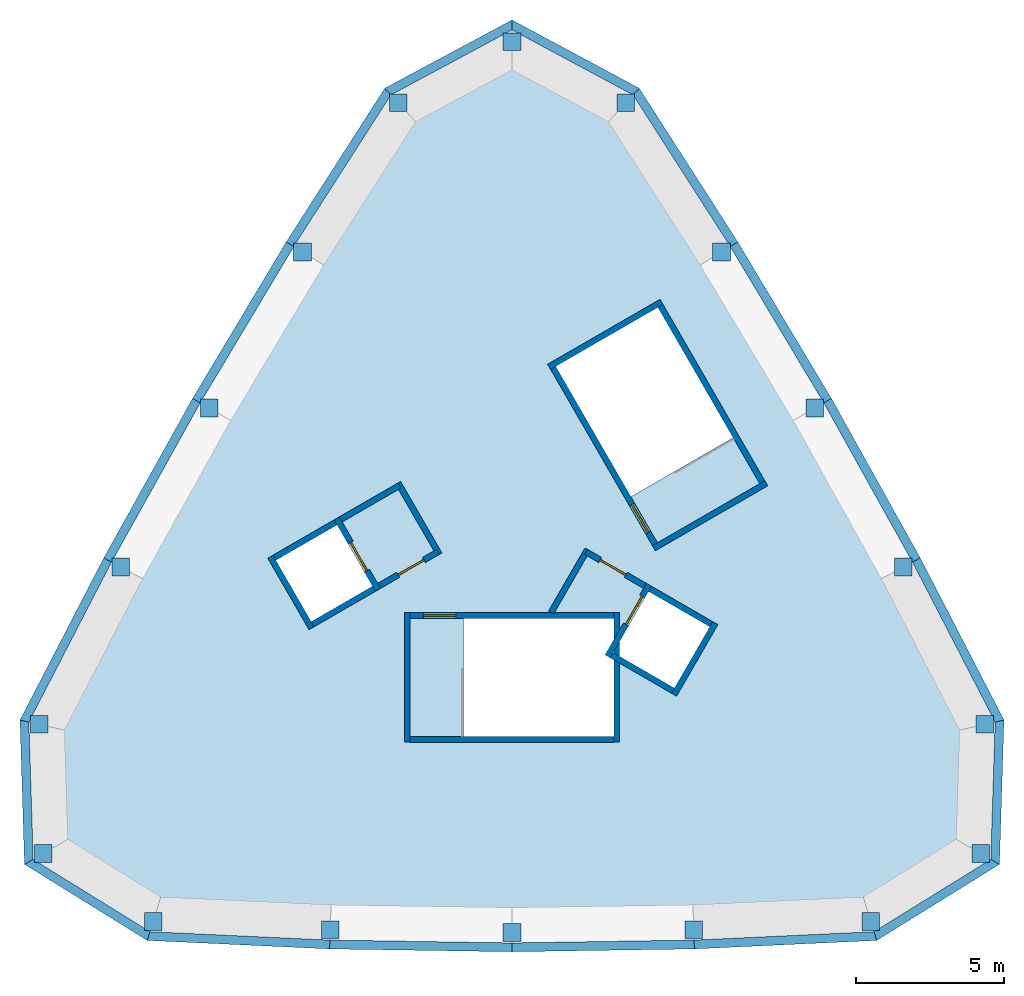
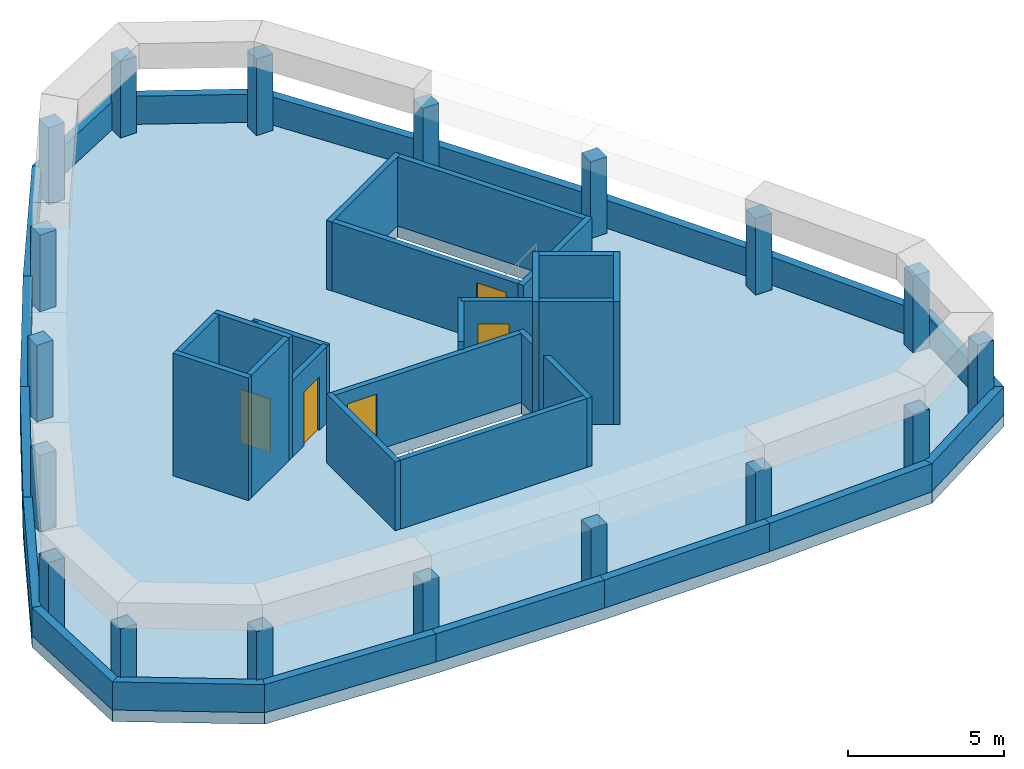
# One storey, part 1 of 2: 39 walls, 18 members, 6 doors, 1 slab, 6 openings.
"""IFC4 building model written with IfcOpenShell, lengths in metres."""

from ifc_helpers import new_model, si_unit, direction, frame, frame_2d, origin, origin_2d, place, context, subcontext, project, spatial, polyline, rectangle, outline, extrude, material, layer, layer_set, material_profile, profile_set, type_object, element, fill, save


model = new_model("IFC4")

# Units and contexts
model_context = context("Model", 3, precision=1e-05, world=origin(), true_north=direction((0.0, 1.0)))
body_context = subcontext(model_context, "Body", "Model", "MODEL_VIEW")
ifc_project = project(units=[si_unit("LENGTHUNIT", "METRE"), si_unit("AREAUNIT", "SQUARE_METRE"), si_unit("VOLUMEUNIT", "CUBIC_METRE"), si_unit("PLANEANGLEUNIT", "RADIAN"), si_unit("MASSUNIT", "GRAM", prefix="KILO")], contexts=[model_context])

# Site, building, storey
site_placement = place(None, origin())
site = spatial("IfcSite", under=ifc_project, at=site_placement, CompositionType="ELEMENT")
building_placement = place(site_placement, origin())
building = spatial("IfcBuilding", under=site, at=building_placement, Name="Entoto Arch Interchange Tower", CompositionType="ELEMENT")
storey_placement = place(building_placement, frame((0.0, 0.0, 362.89990234375)))
storey = spatial("IfcBuildingStorey", under=building, at=storey_placement, Name="Roof", CompositionType="ELEMENT", Elevation=362.89990234375)

# Members
ifc_material_1 = material(Name="Board-marked precast concrete C50/60", Category="concrete")
ifc_material_profile = material_profile(ifc_material_1, rectangle(XDim=0.60009765625, YDim=0.60009765625, at=origin_2d()))
ifc_profile_set = profile_set([ifc_material_profile], Name="Board-marked precast concrete C50/60")
member_type = type_object("IfcMemberType", Name="FRAME POST PRECAST 600", PredefinedType="POST", material=ifc_profile_set)
for number, where, z_axis, x_axis, name in (
    (1, (-12.160888671875, -11.47509765625, 0.0), (0.0, 0.0, 1.0), (1.0, 0.0, 0.0), "Frame post 1"),
    (2, (-15.881103515625, -9.1689453125, 0.0), (0.0, 0.0, 1.0), (1.0, 0.0, 0.0), "Frame post 2"),
    (3, (-16.01806640625, -4.794921875, 0.0), (0.0, 0.0, 1.0), (1.0, 0.0, 0.0), "Frame post 3"),
    (4, (-13.260986328125, 0.5400390625, 0.0), (0.0, 0.0, 1.0), (1.0, 0.0, 0.0), "Frame post 4"),
    (5, (-10.261962890625, 5.925048828125, 0.0), (0.0, 0.0, 1.0), (1.0, 0.0, 0.0), "Frame post 5"),
    (6, (-7.096923828125, 11.215087890625, 0.0), (0.0, 0.0, 1.0), (1.0, 0.0, 0.0), "Frame post 6"),
    (7, (-3.85595703125, 16.26904296875, 0.0), (0.0, 0.0, 1.0), (1.0, 0.0, 0.0), "Frame post 7"),
    (8, (0.0, 18.337890625, 0.0), (0.0, 0.0, 1.0), (1.0, 0.0, 0.0), "Frame post 8"),
    (9, (3.85595703125, 16.26904296875, 0.0), (0.0, 0.0, 1.0), (1.0, 0.0, 0.0), "Frame post 9"),
    (10, (7.096923828125, 11.215087890625, 0.0), (0.0, 0.0, 1.0), (1.0, 0.0, 0.0), "Frame post 10"),
    (11, (10.261962890625, 5.925048828125, 0.0), (0.0, 0.0, 1.0), (1.0, 0.0, 0.0), "Frame post 11"),
    (12, (13.260986328125, 0.5400390625, 0.0), (0.0, 0.0, 1.0), (1.0, 0.0, 0.0), "Frame post 12"),
    (13, (16.01806640625, -4.794921875, 0.0), (0.0, 0.0, 1.0), (1.0, 0.0, 0.0), "Frame post 13"),
    (14, (15.881103515625, -9.1689453125, 0.0), (0.0, 0.0, 1.0), (1.0, 0.0, 0.0), "Frame post 14"),
    (15, (12.160888671875, -11.47509765625, 0.0), (0.0, 0.0, 1.0), (1.0, 0.0, 0.0), "Frame post 15"),
    (16, (6.159912109375, -11.75390625, 0.0), (0.0, 0.0, 1.0), (1.0, 0.0, 0.0), "Frame post 16"),
    (17, (0.0, -11.85009765625, 0.0), (0.0, 0.0, 1.0), (1.0, 0.0, 0.0), "Frame post 17"),
    (18, (-6.159912109375, -11.75390625, 0.0), (0.0, 0.0, 1.0), (1.0, 0.0, 0.0), "Frame post 18"),
):
    element("IfcMember", number, at=place(storey_placement, frame(where, z_axis=z_axis, x_axis=x_axis)), inside=storey, type_object=member_type, Name=name, PredefinedType="POST", context=body_context, shape_type="SweptSolid", body=[
        extrude(rectangle(XDim=0.60009765625, YDim=0.60009765625, at=origin_2d()), origin(), (0.0, 0.0, 1.0), 3.0),
    ])

# Slab
ifc_material_2 = material(Name="Concrete C40/50", Category="concrete")
ifc_layer_1 = layer(ifc_material_2, 0.449951171875)
ifc_layer_set_1 = layer_set([ifc_layer_1], Name="Concrete C40/50")
slab_type = type_object("IfcSlabType", Name="Roof slab 450 C40/50", PredefinedType="ROOF", material=ifc_layer_set_1)
slab_placement = place(storey_placement, frame((0.0, 0.0, -0.449951171875)))
element("IfcSlab", 19, at=slab_placement, inside=storey, type_object=slab_type, Name="Roof slab", PredefinedType="ROOF", context=body_context, shape_type="SweptSolid", body=[
    extrude(outline(polyline([(-12.360107421875, -12.115966796875), (-6.179931640625, -12.404052734375), (0.0, -12.5), (6.179931640625, -12.404052734375), (12.360107421875, -12.115966796875), (16.52001953125, -9.5380859375), (16.673095703125, -4.64697265625), (13.833984375, 0.846923828125), (10.824951171875, 6.25), (7.64990234375, 11.556884765625), (4.31201171875, 16.761962890625), (0.0, 19.075927734375), (-4.31201171875, 16.761962890625), (-7.64990234375, 11.556884765625), (-10.824951171875, 6.25), (-13.833984375, 0.846923828125), (-16.673095703125, -4.64697265625), (-16.52001953125, -9.5380859375), (-12.360107421875, -12.115966796875)]), holes=[polyline([(3.449951171875, -1.199951171875), (3.449951171875, -2.324951171875), (4.626953125, -0.287109375), (6.705078125, -1.487060546875), (5.5048828125, -3.56494140625), (3.449951171875, -2.3779296875), (3.449951171875, -5.199951171875), (-1.64990234375, -5.199951171875), (-1.64990234375, -1.199951171875), (3.449951171875, -1.199951171875)]), polyline([(-6.804931640625, -1.31298828125), (-8.0048828125, 0.764892578125), (-5.927001953125, 1.965087890625), (-4.72705078125, -0.113037109375), (-6.804931640625, -1.31298828125)]), polyline([(1.47900390625, 7.337890625), (4.943115234375, 9.337890625), (7.492919921875, 4.9208984375), (4.029052734375, 2.9208984375), (1.47900390625, 7.337890625)])]), origin(), (0.0, 0.0, 1.0), 0.449951171875),
])

# Wall, opening, door
ifc_layer_2 = layer(ifc_material_2, 0.199951171875)
ifc_layer_set_2 = layer_set([ifc_layer_2], Name="Concrete C40/50")
wall_type_1 = type_object("IfcWallType", Name="LIFT SHAFT WALL 200", PredefinedType="STANDARD", material=ifc_layer_set_2)
wall_1_placement = place(storey_placement, frame((3.239990234375, -2.488037109375, 0.0), z_axis=(0.0, 0.0, 1.0), x_axis=(0.49994636267, 0.866056369097, 0.0)))
wall_1 = element("IfcWall", 20, at=wall_1_placement, inside=storey, type_object=wall_type_1, Name="Shaft wall SE1 front", PredefinedType="STANDARD", context=body_context, shape_type="SweptSolid", body=[
    extrude(rectangle(XDim=2.800048828125, YDim=0.199951171875, at=frame_2d((1.39990234375, 0.0))), origin(), (0.0, 0.0, 1.0), 4.800048828125),
])
opening_1_placement = place(wall_1_placement, frame((1.25, 0.0, 0.0)))
opening_1 = element("IfcOpeningElement", 21, at=opening_1_placement, cuts=wall_1, Name="Opening LD-FF1-Roof", PredefinedType="OPENING", context=body_context, shape_type="SweptSolid", body=[
    extrude(rectangle(XDim=1.10009765625, YDim=2.10009765625, at=frame_2d((0.550048828125, 1.050048828125))), frame((0.0, 0.10986328125, 0.0), z_axis=(0.0, -1.0, 0.0), x_axis=(1.0, 0.0, 0.0)), (0.0, 0.0, 1.0), 0.219970703125),
])
ifc_material_3 = material(Name="Stainless steel 1.4301 panels", Category="steel")
door_type_1 = type_object("IfcDoorType", Name="LIFT LANDING DOOR LD1 1100x2100", OperationType="SLIDING_TO_LEFT", PredefinedType="DOOR", material=ifc_material_3)
door_1_placement = place(opening_1_placement, origin())
door_1 = element("IfcDoor", 22, at=door_1_placement, inside=storey, type_object=door_type_1, Name="Lift landing door FF1 Roof", OperationType="SLIDING_TO_LEFT", OverallHeight=2.10009765625, OverallWidth=1.10009765625, PredefinedType="DOOR", context=body_context, shape_type="SweptSolid", body=[
    extrude(rectangle(XDim=1.10009765625, YDim=2.10009765625, at=frame_2d((0.550048828125, 1.050048828125))), frame((0.0, 0.02490234375, 0.0), z_axis=(0.0, -1.0, 0.0), x_axis=(1.0, 0.0, 0.0)), (0.0, 0.0, 1.0), 0.050048828125),
])
fill(opening_1, door_1)

# Walls
wall_2_placement = place(storey_placement, frame((5.491943359375, -3.7880859375, 0.0), z_axis=(0.0, 0.0, 1.0), x_axis=(0.500011755427, 0.866018616679, 0.0)))
element("IfcWall", 23, at=wall_2_placement, inside=storey, type_object=wall_type_1, Name="Shaft wall SE1 back", PredefinedType="STANDARD", context=body_context, shape_type="SweptSolid", body=[
    extrude(rectangle(XDim=2.80029296875, YDim=0.199951171875, at=frame_2d((1.400146484375, 0.0))), origin(), (0.0, 0.0, 1.0), 4.800048828125),
])
wall_3_placement = place(storey_placement, frame((3.376953125, -2.451904296875, 0.0), z_axis=(0.0, 0.0, 1.0), x_axis=(0.865955154139, -0.50012165622, 0.0)))
element("IfcWall", 24, at=wall_3_placement, inside=storey, type_object=wall_type_1, Name="Shaft wall SE1 cross 1", PredefinedType="STANDARD", context=body_context, shape_type="SweptSolid", body=[
    extrude(rectangle(XDim=2.39990234375, YDim=0.199951171875, at=frame_2d((1.199951171875, 0.0))), origin(), (0.0, 0.0, 1.0), 4.800048828125),
])
wall_4_placement = place(storey_placement, frame((4.677001953125, -0.199951171875, 0.0), z_axis=(0.0, 0.0, 1.0), x_axis=(0.865973769406, -0.500089422704, 0.0)))
element("IfcWall", 25, at=wall_4_placement, inside=storey, type_object=wall_type_1, Name="Shaft wall SE1 cross 2", PredefinedType="STANDARD", context=body_context, shape_type="SweptSolid", body=[
    extrude(rectangle(XDim=2.3994140625, YDim=0.199951171875, at=frame_2d((1.19970703125, 0.0))), origin(), (0.0, 0.0, 1.0), 4.800048828125),
])

# Wall, opening, door
wall_5_placement = place(storey_placement, frame((-5.93994140625, 2.18798828125, 0.0), z_axis=(0.0, 0.0, 1.0), x_axis=(0.49994636267, -0.866056369097, 0.0)))
wall_5 = element("IfcWall", 26, at=wall_5_placement, inside=storey, type_object=wall_type_1, Name="Shaft wall SW1 front", PredefinedType="STANDARD", context=body_context, shape_type="SweptSolid", body=[
    extrude(rectangle(XDim=2.800048828125, YDim=0.199951171875, at=frame_2d((1.39990234375, 0.0))), origin(), (0.0, 0.0, 1.0), 4.800048828125),
])
opening_2_placement = place(wall_5_placement, frame((0.949951171875, 0.0, 0.0)))
opening_2 = element("IfcOpeningElement", 27, at=opening_2_placement, cuts=wall_5, Name="Opening LD-FF2-Roof", PredefinedType="OPENING", context=body_context, shape_type="SweptSolid", body=[
    extrude(rectangle(XDim=1.10009765625, YDim=2.10009765625, at=frame_2d((0.550048828125, 1.050048828125))), frame((0.0, 0.10986328125, 0.0), z_axis=(0.0, -1.0, 0.0), x_axis=(1.0, 0.0, 0.0)), (0.0, 0.0, 1.0), 0.219970703125),
])
door_2_placement = place(opening_2_placement, origin())
door_2 = element("IfcDoor", 28, at=door_2_placement, inside=storey, type_object=door_type_1, Name="Lift landing door FF2 Roof", OperationType="SLIDING_TO_LEFT", OverallHeight=2.10009765625, OverallWidth=1.10009765625, PredefinedType="DOOR", context=body_context, shape_type="SweptSolid", body=[
    extrude(rectangle(XDim=1.10009765625, YDim=2.10009765625, at=frame_2d((0.550048828125, 1.050048828125))), frame((0.0, 0.02490234375, 0.0), z_axis=(0.0, -1.0, 0.0), x_axis=(1.0, 0.0, 0.0)), (0.0, 0.0, 1.0), 0.050048828125),
])
fill(opening_2, door_2)

# Walls
wall_6_placement = place(storey_placement, frame((-8.19189453125, 0.887939453125, 0.0), z_axis=(0.0, 0.0, 1.0), x_axis=(0.49994636267, -0.866056369097, 0.0)))
element("IfcWall", 29, at=wall_6_placement, inside=storey, type_object=wall_type_1, Name="Shaft wall SW1 back", PredefinedType="STANDARD", context=body_context, shape_type="SweptSolid", body=[
    extrude(rectangle(XDim=2.800048828125, YDim=0.199951171875, at=frame_2d((1.39990234375, 0.0))), origin(), (0.0, 0.0, 1.0), 4.800048828125),
])
for number, where, z_axis, x_axis, name in (
    (30, (-5.97705078125, 2.052001953125, 0.0), (0.0, 0.0, 1.0), (-0.865973769406, -0.500089422704, 0.0), "Shaft wall SW1 cross 1"),
    (31, (-4.677001953125, -0.199951171875, 0.0), (0.0, 0.0, 1.0), (-0.865973769406, -0.500089422704, 0.0), "Shaft wall SW1 cross 2"),
):
    element("IfcWall", number, at=place(storey_placement, frame(where, z_axis=z_axis, x_axis=x_axis)), inside=storey, type_object=wall_type_1, Name=name, PredefinedType="STANDARD", context=body_context, shape_type="SweptSolid", body=[
        extrude(rectangle(XDim=2.3994140625, YDim=0.199951171875, at=frame_2d((1.19970703125, 0.0))), origin(), (0.0, 0.0, 1.0), 4.800048828125),
    ])
ifc_layer_3 = layer(ifc_material_1, 0.300048828125)
ifc_layer_set_3 = layer_set([ifc_layer_3], Name="Board-marked precast concrete C50/60")
wall_type_2 = type_object("IfcWallType", Name="PARAPET PRECAST 300", PredefinedType="PARAPET", material=ifc_layer_set_3)
wall_7_placement = place(storey_placement, origin())
element("IfcWall", 32, at=wall_7_placement, inside=storey, type_object=wall_type_2, Name="Roof parapet 1", PredefinedType="PARAPET", context=body_context, shape_type="SweptSolid", body=[
    extrude(outline(polyline([(-12.360107421875, -12.115966796875), (-6.179931640625, -12.404052734375), (-6.1708984375, -12.10400390625), (-12.26806640625, -11.820068359375), (-12.360107421875, -12.115966796875)])), origin(), (0.0, 0.0, 1.0), 1.10009765625),
])
wall_8_placement = place(storey_placement, origin())
element("IfcWall", 33, at=wall_8_placement, inside=storey, type_object=wall_type_2, Name="Roof parapet 2", PredefinedType="PARAPET", context=body_context, shape_type="SweptSolid", body=[
    extrude(outline(polyline([(-6.179931640625, -12.404052734375), (0.0, -12.5), (0.0, -12.199951171875), (-6.1708984375, -12.10400390625), (-6.179931640625, -12.404052734375)])), origin(), (0.0, 0.0, 1.0), 1.10009765625),
])
wall_9_placement = place(storey_placement, origin())
element("IfcWall", 34, at=wall_9_placement, inside=storey, type_object=wall_type_2, Name="Roof parapet 3", PredefinedType="PARAPET", context=body_context, shape_type="SweptSolid", body=[
    extrude(outline(polyline([(0.0, -12.5), (6.179931640625, -12.404052734375), (6.1708984375, -12.10400390625), (0.0, -12.199951171875), (0.0, -12.5)])), origin(), (0.0, 0.0, 1.0), 1.10009765625),
])
wall_10_placement = place(storey_placement, origin())
element("IfcWall", 35, at=wall_10_placement, inside=storey, type_object=wall_type_2, Name="Roof parapet 4", PredefinedType="PARAPET", context=body_context, shape_type="SweptSolid", body=[
    extrude(outline(polyline([(6.179931640625, -12.404052734375), (12.360107421875, -12.115966796875), (12.26806640625, -11.820068359375), (6.1708984375, -12.10400390625), (6.179931640625, -12.404052734375)])), origin(), (0.0, 0.0, 1.0), 1.10009765625),
])
wall_11_placement = place(storey_placement, origin())
element("IfcWall", 36, at=wall_11_placement, inside=storey, type_object=wall_type_2, Name="Roof parapet 5", PredefinedType="PARAPET", context=body_context, shape_type="SweptSolid", body=[
    extrude(outline(polyline([(12.360107421875, -12.115966796875), (16.52001953125, -9.5380859375), (16.22509765625, -9.367919921875), (12.26806640625, -11.820068359375), (12.360107421875, -12.115966796875)])), origin(), (0.0, 0.0, 1.0), 1.10009765625),
])
wall_12_placement = place(storey_placement, origin())
element("IfcWall", 37, at=wall_12_placement, inside=storey, type_object=wall_type_2, Name="Roof parapet 6", PredefinedType="PARAPET", context=body_context, shape_type="SweptSolid", body=[
    extrude(outline(polyline([(16.52001953125, -9.5380859375), (16.673095703125, -4.64697265625), (16.37109375, -4.716064453125), (16.22509765625, -9.367919921875), (16.52001953125, -9.5380859375)])), origin(), (0.0, 0.0, 1.0), 1.10009765625),
])
wall_13_placement = place(storey_placement, origin())
element("IfcWall", 38, at=wall_13_placement, inside=storey, type_object=wall_type_2, Name="Roof parapet 7", PredefinedType="PARAPET", context=body_context, shape_type="SweptSolid", body=[
    extrude(outline(polyline([(16.673095703125, -4.64697265625), (13.833984375, 0.846923828125), (13.570068359375, 0.705078125), (16.37109375, -4.716064453125), (16.673095703125, -4.64697265625)])), origin(), (0.0, 0.0, 1.0), 1.10009765625),
])
wall_14_placement = place(storey_placement, origin())
element("IfcWall", 39, at=wall_14_placement, inside=storey, type_object=wall_type_2, Name="Roof parapet 8", PredefinedType="PARAPET", context=body_context, shape_type="SweptSolid", body=[
    extrude(outline(polyline([(13.833984375, 0.846923828125), (10.824951171875, 6.25), (10.56494140625, 6.10009765625), (13.570068359375, 0.705078125), (13.833984375, 0.846923828125)])), origin(), (0.0, 0.0, 1.0), 1.10009765625),
])
wall_15_placement = place(storey_placement, origin())
element("IfcWall", 40, at=wall_15_placement, inside=storey, type_object=wall_type_2, Name="Roof parapet 9", PredefinedType="PARAPET", context=body_context, shape_type="SweptSolid", body=[
    extrude(outline(polyline([(10.824951171875, 6.25), (7.64990234375, 11.556884765625), (7.39501953125, 11.39892578125), (10.56494140625, 6.10009765625), (10.824951171875, 6.25)])), origin(), (0.0, 0.0, 1.0), 1.10009765625),
])
wall_16_placement = place(storey_placement, origin())
element("IfcWall", 41, at=wall_16_placement, inside=storey, type_object=wall_type_2, Name="Roof parapet 10", PredefinedType="PARAPET", context=body_context, shape_type="SweptSolid", body=[
    extrude(outline(polyline([(7.64990234375, 11.556884765625), (4.31201171875, 16.761962890625), (4.10205078125, 16.533935546875), (7.39501953125, 11.39892578125), (7.64990234375, 11.556884765625)])), origin(), (0.0, 0.0, 1.0), 1.10009765625),
])
wall_17_placement = place(storey_placement, origin())
element("IfcWall", 42, at=wall_17_placement, inside=storey, type_object=wall_type_2, Name="Roof parapet 11", PredefinedType="PARAPET", context=body_context, shape_type="SweptSolid", body=[
    extrude(outline(polyline([(4.31201171875, 16.761962890625), (0.0, 19.075927734375), (0.0, 18.736083984375), (4.10205078125, 16.533935546875), (4.31201171875, 16.761962890625)])), origin(), (0.0, 0.0, 1.0), 1.10009765625),
])
wall_18_placement = place(storey_placement, origin())
element("IfcWall", 43, at=wall_18_placement, inside=storey, type_object=wall_type_2, Name="Roof parapet 12", PredefinedType="PARAPET", context=body_context, shape_type="SweptSolid", body=[
    extrude(outline(polyline([(0.0, 19.075927734375), (-4.31201171875, 16.761962890625), (-4.10205078125, 16.533935546875), (0.0, 18.736083984375), (0.0, 19.075927734375)])), origin(), (0.0, 0.0, 1.0), 1.10009765625),
])
wall_19_placement = place(storey_placement, origin())
element("IfcWall", 44, at=wall_19_placement, inside=storey, type_object=wall_type_2, Name="Roof parapet 13", PredefinedType="PARAPET", context=body_context, shape_type="SweptSolid", body=[
    extrude(outline(polyline([(-4.31201171875, 16.761962890625), (-7.64990234375, 11.556884765625), (-7.39501953125, 11.39892578125), (-4.10205078125, 16.533935546875), (-4.31201171875, 16.761962890625)])), origin(), (0.0, 0.0, 1.0), 1.10009765625),
])
wall_20_placement = place(storey_placement, origin())
element("IfcWall", 45, at=wall_20_placement, inside=storey, type_object=wall_type_2, Name="Roof parapet 14", PredefinedType="PARAPET", context=body_context, shape_type="SweptSolid", body=[
    extrude(outline(polyline([(-7.64990234375, 11.556884765625), (-10.824951171875, 6.25), (-10.56494140625, 6.10009765625), (-7.39501953125, 11.39892578125), (-7.64990234375, 11.556884765625)])), origin(), (0.0, 0.0, 1.0), 1.10009765625),
])
wall_21_placement = place(storey_placement, origin())
element("IfcWall", 46, at=wall_21_placement, inside=storey, type_object=wall_type_2, Name="Roof parapet 15", PredefinedType="PARAPET", context=body_context, shape_type="SweptSolid", body=[
    extrude(outline(polyline([(-10.824951171875, 6.25), (-13.833984375, 0.846923828125), (-13.570068359375, 0.705078125), (-10.56494140625, 6.10009765625), (-10.824951171875, 6.25)])), origin(), (0.0, 0.0, 1.0), 1.10009765625),
])
wall_22_placement = place(storey_placement, origin())
element("IfcWall", 47, at=wall_22_placement, inside=storey, type_object=wall_type_2, Name="Roof parapet 16", PredefinedType="PARAPET", context=body_context, shape_type="SweptSolid", body=[
    extrude(outline(polyline([(-13.833984375, 0.846923828125), (-16.673095703125, -4.64697265625), (-16.37109375, -4.716064453125), (-13.570068359375, 0.705078125), (-13.833984375, 0.846923828125)])), origin(), (0.0, 0.0, 1.0), 1.10009765625),
])
wall_23_placement = place(storey_placement, origin())
element("IfcWall", 48, at=wall_23_placement, inside=storey, type_object=wall_type_2, Name="Roof parapet 17", PredefinedType="PARAPET", context=body_context, shape_type="SweptSolid", body=[
    extrude(outline(polyline([(-16.673095703125, -4.64697265625), (-16.52001953125, -9.5380859375), (-16.22509765625, -9.367919921875), (-16.37109375, -4.716064453125), (-16.673095703125, -4.64697265625)])), origin(), (0.0, 0.0, 1.0), 1.10009765625),
])
wall_24_placement = place(storey_placement, origin())
element("IfcWall", 49, at=wall_24_placement, inside=storey, type_object=wall_type_2, Name="Roof parapet 18", PredefinedType="PARAPET", context=body_context, shape_type="SweptSolid", body=[
    extrude(outline(polyline([(-16.52001953125, -9.5380859375), (-12.360107421875, -12.115966796875), (-12.26806640625, -11.820068359375), (-16.22509765625, -9.367919921875), (-16.52001953125, -9.5380859375)])), origin(), (0.0, 0.0, 1.0), 1.10009765625),
])

# Wall, opening, door
ifc_layer_4 = layer(ifc_material_2, 0.199951171875)
ifc_layer_set_4 = layer_set([ifc_layer_4], Name="Concrete C40/50")
wall_type_3 = type_object("IfcWallType", Name="ROOF LIFT LOBBY WALL 200", PredefinedType="STANDARD", material=ifc_layer_set_4)
wall_25_placement = place(storey_placement, frame((4.5029296875, -0.10009765625, 0.0), z_axis=(0.0, 0.0, 1.0), x_axis=(-0.866007057882, 0.500031774688, 0.0)))
wall_25 = element("IfcWall", 50, at=wall_25_placement, inside=storey, type_object=wall_type_3, Name="Roof lift lobby wall FF1", PredefinedType="STANDARD", context=body_context, shape_type="SweptSolid", body=[
    extrude(rectangle(XDim=2.300048828125, YDim=0.199951171875, at=frame_2d((1.14990234375, 0.0))), origin(), (0.0, 0.0, 1.0), 3.0),
])
opening_3_placement = place(wall_25_placement, frame((0.75, 0.0, 0.0)))
opening_3 = element("IfcOpeningElement", 51, at=opening_3_placement, cuts=wall_25, Name="Opening RL-FF1", PredefinedType="OPENING", context=body_context, shape_type="SweptSolid", body=[
    extrude(rectangle(XDim=1.0, YDim=2.10009765625, at=frame_2d((0.5, 1.050048828125))), frame((0.0, 0.10986328125, 0.0), z_axis=(0.0, -1.0, 0.0), x_axis=(1.0, 0.0, 0.0)), (0.0, 0.0, 1.0), 0.219970703125),
])
ifc_material_4 = material(Name="Steel S235", Category="steel")
door_type_2 = type_object("IfcDoorType", Name="ROOF LIFT LOBBY DOOR RL1 1000x2100", OperationType="SINGLE_SWING_LEFT", PredefinedType="DOOR", material=ifc_material_4)
door_3_placement = place(opening_3_placement, origin())
door_3 = element("IfcDoor", 52, at=door_3_placement, inside=storey, type_object=door_type_2, Name="Roof lift lobby stair access door FF1", OperationType="SINGLE_SWING_LEFT", OverallHeight=2.10009765625, OverallWidth=1.0, PredefinedType="DOOR", context=body_context, shape_type="SweptSolid", body=[
    extrude(rectangle(XDim=1.0, YDim=2.10009765625, at=frame_2d((0.5, 1.050048828125))), frame((0.0, 0.02490234375, 0.0), z_axis=(0.0, -1.0, 0.0), x_axis=(1.0, 0.0, 0.0)), (0.0, 0.0, 1.0), 0.050048828125),
])
fill(opening_3, door_3)

# Walls
wall_26_placement = place(storey_placement, frame((1.327880859375, -1.0, 0.0), z_axis=(0.0, 0.0, 1.0), x_axis=(0.499810970322, 0.866134512617, 0.0)))
element("IfcWall", 53, at=wall_26_placement, inside=storey, type_object=wall_type_3, Name="Roof lift lobby wall FF1", PredefinedType="STANDARD", context=body_context, shape_type="SweptSolid", body=[
    extrude(rectangle(XDim=2.46728515625, YDim=0.199951171875, at=frame_2d((1.233642578125, 0.0))), origin(), (0.0, 0.0, 1.0), 3.0),
])
wall_27_placement = place(storey_placement, frame((-5.802978515625, 2.152099609375, 0.0), z_axis=(0.0, 0.0, 1.0), x_axis=(0.866053019151, 0.499952165731, 0.0)))
element("IfcWall", 54, at=wall_27_placement, inside=storey, type_object=wall_type_3, Name="Roof lift lobby wall FF2", PredefinedType="STANDARD", context=body_context, shape_type="SweptSolid", body=[
    extrude(rectangle(XDim=2.300048828125, YDim=0.199951171875, at=frame_2d((1.14990234375, 0.0))), origin(), (0.0, 0.0, 1.0), 3.0),
])

# Wall, opening, door
wall_28_placement = place(storey_placement, frame((-4.5029296875, -0.10009765625, 0.0), z_axis=(0.0, 0.0, 1.0), x_axis=(0.866007057882, 0.500031774688, 0.0)))
wall_28 = element("IfcWall", 55, at=wall_28_placement, inside=storey, type_object=wall_type_3, Name="Roof lift lobby wall FF2", PredefinedType="STANDARD", context=body_context, shape_type="SweptSolid", body=[
    extrude(rectangle(XDim=2.300048828125, YDim=0.199951171875, at=frame_2d((1.14990234375, 0.0))), origin(), (0.0, 0.0, 1.0), 3.0),
])
opening_4_placement = place(wall_28_placement, frame((0.75, 0.0, 0.0)))
opening_4 = element("IfcOpeningElement", 56, at=opening_4_placement, cuts=wall_28, Name="Opening RL-FF2", PredefinedType="OPENING", context=body_context, shape_type="SweptSolid", body=[
    extrude(rectangle(XDim=1.0, YDim=2.10009765625, at=frame_2d((0.5, 1.050048828125))), frame((0.0, 0.10986328125, 0.0), z_axis=(0.0, -1.0, 0.0), x_axis=(1.0, 0.0, 0.0)), (0.0, 0.0, 1.0), 0.219970703125),
])
door_4_placement = place(opening_4_placement, origin())
door_4 = element("IfcDoor", 57, at=door_4_placement, inside=storey, type_object=door_type_2, Name="Roof lift lobby stair access door FF2", OperationType="SINGLE_SWING_LEFT", OverallHeight=2.10009765625, OverallWidth=1.0, PredefinedType="DOOR", context=body_context, shape_type="SweptSolid", body=[
    extrude(rectangle(XDim=1.0, YDim=2.10009765625, at=frame_2d((0.5, 1.050048828125))), frame((0.0, 0.02490234375, 0.0), z_axis=(0.0, -1.0, 0.0), x_axis=(1.0, 0.0, 0.0)), (0.0, 0.0, 1.0), 0.050048828125),
])
fill(opening_4, door_4)

# Walls
wall_29_placement = place(storey_placement, frame((-3.861083984375, 3.387939453125, 0.0), z_axis=(0.0, 0.0, 1.0), x_axis=(0.500011755427, -0.866018616679, 0.0)))
element("IfcWall", 58, at=wall_29_placement, inside=storey, type_object=wall_type_3, Name="Roof lift lobby wall FF2", PredefinedType="STANDARD", context=body_context, shape_type="SweptSolid", body=[
    extrude(rectangle(XDim=2.80029296875, YDim=0.199951171875, at=frame_2d((1.400146484375, 0.0))), origin(), (0.0, 0.0, 1.0), 3.0),
])
ifc_layer_5 = layer(ifc_material_2, 0.199951171875)
ifc_layer_set_5 = layer_set([ifc_layer_5], Name="Concrete C40/50")
wall_type_4 = type_object("IfcWallType", Name="STAIR ENCLOSURE WALL 200", PredefinedType="STANDARD", material=ifc_layer_set_5)
for number, where, z_axis, x_axis, name in (
    (59, (-3.550048828125, -1.0, 0.0), (0.0, 0.0, 1.0), (0.0, -1.0, 0.0), "Stair wall ST-S near"),
    (60, (3.550048828125, -1.0, 0.0), (0.0, 0.0, 1.0), (0.0, -1.0, 0.0), "Stair wall ST-S far"),
):
    element("IfcWall", number, at=place(storey_placement, frame(where, z_axis=z_axis, x_axis=x_axis)), inside=storey, type_object=wall_type_4, Name=name, PredefinedType="STANDARD", context=body_context, shape_type="SweptSolid", body=[
        extrude(rectangle(XDim=4.39990234375, YDim=0.199951171875, at=frame_2d((2.199951171875, 0.0))), origin(), (0.0, 0.0, 1.0), 2.7001953125),
    ])

# Wall, opening, door
wall_30_placement = place(storey_placement, frame((-3.449951171875, -1.10009765625, 0.0), z_axis=(0.0, 0.0, 1.0), x_axis=(1.0, 0.0, 0.0)))
wall_30 = element("IfcWall", 61, at=wall_30_placement, inside=storey, type_object=wall_type_4, Name="Stair wall ST-S hall", PredefinedType="STANDARD", context=body_context, shape_type="SweptSolid", body=[
    extrude(rectangle(XDim=6.89990234375, YDim=0.199951171875, at=frame_2d((3.449951171875, 0.0))), origin(), (0.0, 0.0, 1.0), 2.7001953125),
])
opening_5_placement = place(wall_30_placement, frame((0.449951171875, 0.0, 0.0)))
opening_5 = element("IfcOpeningElement", 62, at=opening_5_placement, cuts=wall_30, Name="Opening SD-ST-S-Roof", PredefinedType="OPENING", context=body_context, shape_type="SweptSolid", body=[
    extrude(rectangle(XDim=1.10009765625, YDim=2.199951171875, at=frame_2d((0.550048828125, 1.10009765625))), frame((0.0, 0.10986328125, 0.0), z_axis=(0.0, -1.0, 0.0), x_axis=(1.0, 0.0, 0.0)), (0.0, 0.0, 1.0), 0.219970703125),
])
door_type_3 = type_object("IfcDoorType", Name="STAIR DOOR SD1 1100x2200", OperationType="SINGLE_SWING_LEFT", PredefinedType="DOOR", material=ifc_material_4)
door_5_placement = place(opening_5_placement, origin())
door_5 = element("IfcDoor", 63, at=door_5_placement, inside=storey, type_object=door_type_3, Name="Stair door ST-S Roof", OperationType="SINGLE_SWING_LEFT", OverallHeight=2.199951171875, OverallWidth=1.10009765625, PredefinedType="DOOR", context=body_context, shape_type="SweptSolid", body=[
    extrude(rectangle(XDim=1.10009765625, YDim=2.199951171875, at=frame_2d((0.550048828125, 1.10009765625))), frame((0.0, 0.02490234375, 0.0), z_axis=(0.0, -1.0, 0.0), x_axis=(1.0, 0.0, 0.0)), (0.0, 0.0, 1.0), 0.050048828125),
])
fill(opening_5, door_5)

# Walls
wall_31_placement = place(storey_placement, frame((-3.449951171875, -5.300048828125, 0.0), z_axis=(0.0, 0.0, 1.0), x_axis=(1.0, 0.0, 0.0)))
element("IfcWall", 64, at=wall_31_placement, inside=storey, type_object=wall_type_4, Name="Stair wall ST-S back", PredefinedType="STANDARD", context=body_context, shape_type="SweptSolid", body=[
    extrude(rectangle(XDim=6.89990234375, YDim=0.199951171875, at=frame_2d((3.449951171875, 0.0))), origin(), (0.0, 0.0, 1.0), 2.7001953125),
])
wall_32_placement = place(storey_placement, frame((4.805908203125, 1.176025390625, 0.0), z_axis=(0.0, 0.0, 1.0), x_axis=(0.866059941101, 0.499940174841, 0.0)))
element("IfcWall", 65, at=wall_32_placement, inside=storey, type_object=wall_type_4, Name="Stair wall ST-NE near", PredefinedType="STANDARD", context=body_context, shape_type="SweptSolid", body=[
    extrude(rectangle(XDim=4.400390625, YDim=0.199951171875, at=frame_2d((2.2001953125, 0.0))), origin(), (0.0, 0.0, 1.0), 2.7001953125),
])
wall_33_placement = place(storey_placement, frame((1.256103515625, 7.323974609375, 0.0), z_axis=(0.0, 0.0, 1.0), x_axis=(0.866046073146, 0.499964197906, 0.0)))
element("IfcWall", 66, at=wall_33_placement, inside=storey, type_object=wall_type_4, Name="Stair wall ST-NE far", PredefinedType="STANDARD", context=body_context, shape_type="SweptSolid", body=[
    extrude(rectangle(XDim=4.400146484375, YDim=0.199951171875, at=frame_2d((2.2001953125, 0.0))), origin(), (0.0, 0.0, 1.0), 2.7001953125),
])

# Wall, opening, door
wall_34_placement = place(storey_placement, frame((4.843017578125, 1.31201171875, 0.0), z_axis=(0.0, 0.0, 1.0), x_axis=(-0.499963383562, 0.866046543262, 0.0)))
wall_34 = element("IfcWall", 67, at=wall_34_placement, inside=storey, type_object=wall_type_4, Name="Stair wall ST-NE hall", PredefinedType="STANDARD", context=body_context, shape_type="SweptSolid", body=[
    extrude(rectangle(XDim=6.900390625, YDim=0.199951171875, at=frame_2d((3.4501953125, 0.0))), origin(), (0.0, 0.0, 1.0), 2.7001953125),
])
opening_6_placement = place(wall_34_placement, frame((0.449951171875, 0.0, 0.0)))
opening_6 = element("IfcOpeningElement", 68, at=opening_6_placement, cuts=wall_34, Name="Opening SD-ST-NE-Roof", PredefinedType="OPENING", context=body_context, shape_type="SweptSolid", body=[
    extrude(rectangle(XDim=1.10009765625, YDim=2.199951171875, at=frame_2d((0.550048828125, 1.10009765625))), frame((0.0, 0.10986328125, 0.0), z_axis=(0.0, -1.0, 0.0), x_axis=(1.0, 0.0, 0.0)), (0.0, 0.0, 1.0), 0.219970703125),
])
door_6_placement = place(opening_6_placement, origin())
door_6 = element("IfcDoor", 69, at=door_6_placement, inside=storey, type_object=door_type_3, Name="Stair door ST-NE Roof", OperationType="SINGLE_SWING_LEFT", OverallHeight=2.199951171875, OverallWidth=1.10009765625, PredefinedType="DOOR", context=body_context, shape_type="SweptSolid", body=[
    extrude(rectangle(XDim=1.10009765625, YDim=2.199951171875, at=frame_2d((0.550048828125, 1.10009765625))), frame((0.0, 0.02490234375, 0.0), z_axis=(0.0, -1.0, 0.0), x_axis=(1.0, 0.0, 0.0)), (0.0, 0.0, 1.0), 0.050048828125),
])
fill(opening_6, door_6)

# Wall
wall_35_placement = place(storey_placement, frame((8.47998046875, 3.412109375, 0.0), z_axis=(0.0, 0.0, 1.0), x_axis=(-0.499978703459, 0.866037698999, 0.0)))
element("IfcWall", 70, at=wall_35_placement, inside=storey, type_object=wall_type_4, Name="Stair wall ST-NE back", PredefinedType="STANDARD", context=body_context, shape_type="SweptSolid", body=[
    extrude(rectangle(XDim=6.900146484375, YDim=0.199951171875, at=frame_2d((3.4501953125, 0.0))), origin(), (0.0, 0.0, 1.0), 2.7001953125),
])

save(model, "model.ifc")
